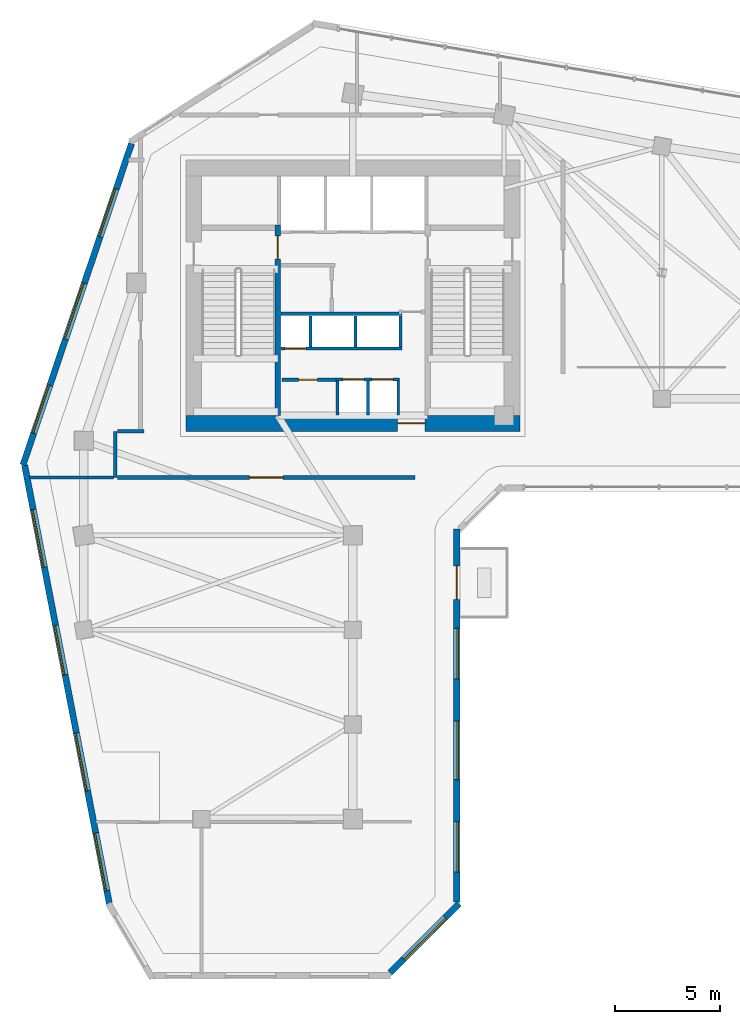
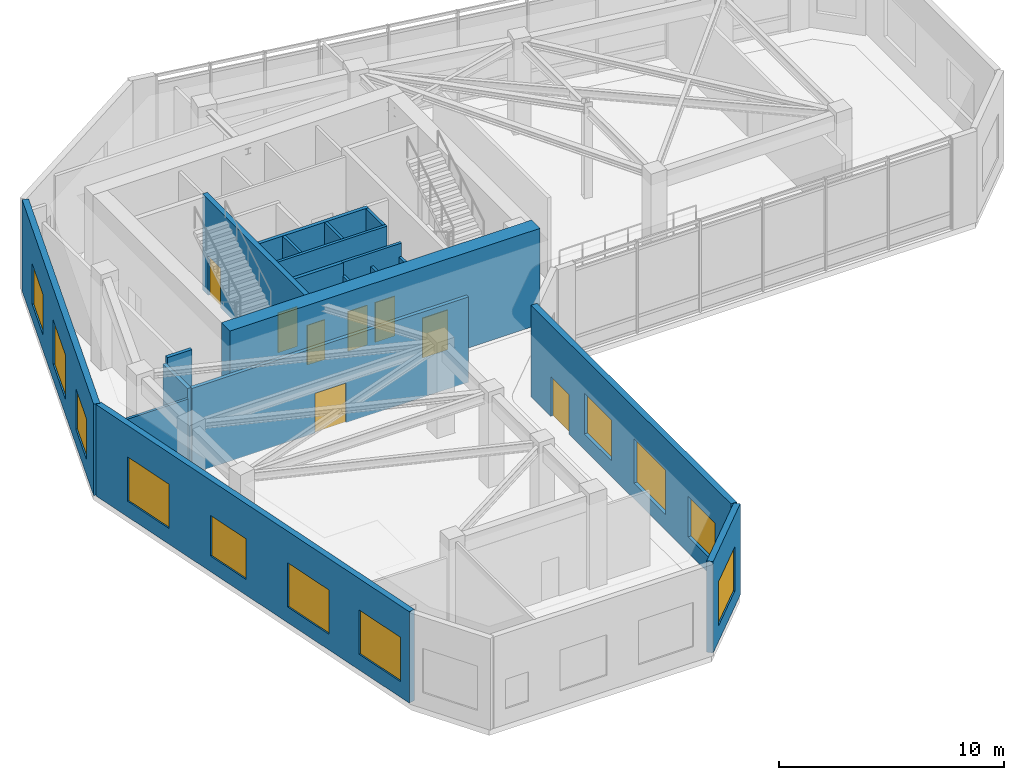
# One storey, part 4 of 9: 20 walls, 11 windows, 8 doors, 19 openings.
"""IFC4 building model written with IfcOpenShell, lengths in metres."""

from ifc_helpers import new_model, si_unit, direction, frame, frame_2d, origin, place, context, subcontext, project, spatial, rectangle, extrude, source, transform, mapped, material, layer, layer_set, type_object, element, fill, save


model = new_model("IFC4")

# Units and contexts
model_context = context("Model", 3, precision=1e-05, world=origin(), true_north=direction((0.0, 1.0)))
body_context = subcontext(model_context, "Body", "Model", "MODEL_VIEW")
ifc_project = project(units=[si_unit("LENGTHUNIT", "METRE"), si_unit("AREAUNIT", "SQUARE_METRE"), si_unit("VOLUMEUNIT", "CUBIC_METRE"), si_unit("PLANEANGLEUNIT", "RADIAN"), si_unit("MASSUNIT", "GRAM", prefix="KILO")], contexts=[model_context])

# Site, building, storey
site_placement = place(None, origin())
site = spatial("IfcSite", under=ifc_project, at=site_placement, CompositionType="ELEMENT")
building_placement = place(site_placement, origin())
building = spatial("IfcBuilding", under=site, at=building_placement, Name="Calvemar Wedge Station Tower", CompositionType="ELEMENT")
storey_placement = place(building_placement, frame((0.0, 0.0, 105.39990234375)))
storey = spatial("IfcBuildingStorey", under=building, at=storey_placement, Name="L25", CompositionType="ELEMENT", Elevation=105.39990234375)

# Wall, opening, door
ifc_material_1 = material(Name="Concrete C50", Category="concrete")
ifc_layer_1 = layer(ifc_material_1, 0.260009765625)
ifc_layer_set_1 = layer_set([ifc_layer_1], Name="Concrete C50")
wall_type_1 = type_object("IfcWallType", Name="SW-CORE-260", PredefinedType="SHEAR", material=ifc_layer_set_1)
wall_1_placement = place(storey_placement, frame((20.22998046875, 34.199951171875, 0.0), z_axis=(0.0, 0.0, 1.0), x_axis=(0.0, 1.0, 0.0)))
wall_1 = element("IfcWall", 1, at=wall_1_placement, inside=storey, type_object=wall_type_1, Name="Storey L25 Core Shear Wall SPINE-W", PredefinedType="SHEAR", context=body_context, shape_type="SweptSolid", body=[
    extrude(rectangle(XDim=9.06005859375, YDim=0.260009765625, at=frame_2d((4.530029296875, 0.0))), origin(), (0.0, 0.0, 1.0), 5.2001953125),
])
shared_shape_1 = source(origin(), body_context, "Body", "SweptSolid", [
    extrude(rectangle(XDim=1.10009765625, YDim=2.14990234375, at=frame_2d((0.550048828125, 1.074951171875))), frame((0.0, 0.14013671875, 0.0), z_axis=(0.0, -1.0, 0.0), x_axis=(1.0, 0.0, 0.0)), (0.0, 0.0, 1.0), 0.280029296875),
])
opening_1_placement = place(wall_1_placement, frame((7.449951171875, 0.0, 0.0)))
opening_1 = element("IfcOpeningElement", 2, at=opening_1_placement, cuts=wall_1, Name="Opening FD-90", PredefinedType="OPENING", context=body_context, shape_type="MappedRepresentation", body=[
    mapped(shared_shape_1, transform((0.0, 0.0, 0.0), scale=1.0)),
])
ifc_material_2 = material(Name="Galvanized fire-rated steel door leaf P-90", Category="steel")
door_type_1 = type_object("IfcDoorType", Name="DR-FD90-1100", OperationType="NOTDEFINED", PredefinedType="DOOR", material=ifc_material_2)
shared_shape_2 = source(origin(), body_context, "Body", "SweptSolid", [
    extrude(rectangle(XDim=1.10009765625, YDim=2.14990234375, at=frame_2d((0.550048828125, 1.074951171875))), frame((0.0, 0.02490234375, 0.0), z_axis=(0.0, -1.0, 0.0), x_axis=(1.0, 0.0, 0.0)), (0.0, 0.0, 1.0), 0.050048828125),
])
door_1_placement = place(opening_1_placement, origin())
door_1 = element("IfcDoor", 3, at=door_1_placement, inside=storey, type_object=door_type_1, Name="L25 FF Lobby to Stair ST-C1 Door", OperationType="SINGLE_SWING_RIGHT", OverallHeight=2.14990234375, OverallWidth=1.10009765625, PredefinedType="DOOR", context=body_context, shape_type="MappedRepresentation", body=[
    mapped(shared_shape_2, transform((0.0, 0.0, 0.0), scale=1.0)),
])
fill(opening_1, door_1)

ifc_material_3 = material(Name="Concrete C70", Category="concrete")
ifc_layer_2 = layer(ifc_material_3, 0.75)
ifc_layer_set_2 = layer_set([ifc_layer_2], Name="Concrete C70")
wall_type_2 = type_object("IfcWallType", Name="SW-CORE-750", PredefinedType="SHEAR", material=ifc_layer_set_2)
wall_2_placement = place(storey_placement, frame((15.85009765625, 33.824951171875, 0.0), z_axis=(0.0, 0.0, 1.0), x_axis=(1.0, 0.0, 0.0)))
wall_2 = element("IfcWall", 4, at=wall_2_placement, inside=storey, type_object=wall_type_2, Name="Storey L25 Core Shear Wall S", PredefinedType="SHEAR", context=body_context, shape_type="SweptSolid", body=[
    extrude(rectangle(XDim=15.89990234375, YDim=0.75, at=frame_2d((7.949951171875, 0.0))), origin(), (0.0, 0.0, 1.0), 5.2001953125),
])
shared_shape_3 = source(origin(), body_context, "Body", "SweptSolid", [
    extrude(rectangle(XDim=1.300048828125, YDim=2.14990234375, at=frame_2d((0.64990234375, 1.074951171875))), frame((0.0, 0.385009765625, 0.0), z_axis=(0.0, -1.0, 0.0), x_axis=(1.0, 0.0, 0.0)), (0.0, 0.0, 1.0), 0.77001953125),
])
opening_2_placement = place(wall_2_placement, frame((10.080078125, 0.0, 0.0)))
opening_2 = element("IfcOpeningElement", 5, at=opening_2_placement, cuts=wall_2, Name="Opening DD-130", PredefinedType="OPENING", context=body_context, shape_type="MappedRepresentation", body=[
    mapped(shared_shape_3, transform((0.0, 0.0, 0.0), scale=1.0)),
])
ifc_material_4 = material(Name="Double-leaf lift lobby fire door EI 60")
door_type_2 = type_object("IfcDoorType", Name="DR-DBL-1300", OperationType="DOUBLE_DOOR_SINGLE_SWING", PredefinedType="DOOR", material=ifc_material_4)
shared_shape_4 = source(origin(), body_context, "Body", "SweptSolid", [
    extrude(rectangle(XDim=1.300048828125, YDim=2.14990234375, at=frame_2d((0.64990234375, 1.074951171875))), frame((0.0, 0.02490234375, 0.0), z_axis=(0.0, -1.0, 0.0), x_axis=(1.0, 0.0, 0.0)), (0.0, 0.0, 1.0), 0.050048828125),
])
door_2_placement = place(opening_2_placement, origin())
door_2 = element("IfcDoor", 6, at=door_2_placement, inside=storey, type_object=door_type_2, Name="L25 Passenger Lift Lobby Door", OperationType="DOUBLE_DOOR_SINGLE_SWING", OverallHeight=2.14990234375, OverallWidth=1.300048828125, PredefinedType="DOOR", context=body_context, shape_type="MappedRepresentation", body=[
    mapped(shared_shape_4, transform((0.0, 0.0, 0.0), scale=1.0)),
])
fill(opening_2, door_2)

ifc_material_5 = material(Name="Double-stud fire-rated corridor partition")
ifc_layer_3 = layer(ifc_material_5, 0.179931640625)
ifc_layer_set_3 = layer_set([ifc_layer_3], Name="Double-stud fire-rated corridor partition")
wall_type_3 = type_object("IfcWallType", Name="W-CORR-180", PredefinedType="PARTITIONING", material=ifc_layer_set_3)
wall_3_placement = place(storey_placement, frame((20.419921875, 35.89990234375, 0.0), z_axis=(0.0, 0.0, 1.0), x_axis=(1.0, 0.0, 0.0)))
wall_3 = element("IfcWall", 7, at=wall_3_placement, inside=storey, type_object=wall_type_3, Name="Storey L25 Interior Partition WL-L25-004", PredefinedType="PARTITIONING", context=body_context, shape_type="SweptSolid", body=[
    extrude(rectangle(XDim=2.6201171875, YDim=0.179931640625, at=frame_2d((1.31005859375, 0.0))), origin(), (0.0, 0.0, 1.0), 4.9501953125),
])
shared_shape_5 = source(origin(), body_context, "Body", "SweptSolid", [
    extrude(rectangle(XDim=0.89990234375, YDim=2.14990234375, at=frame_2d((0.449951171875, 1.074951171875))), frame((0.0, 0.10009765625, 0.0), z_axis=(0.0, -1.0, 0.0), x_axis=(1.0, 0.0, 0.0)), (0.0, 0.0, 1.0), 0.199951171875),
])
opening_3_placement = place(wall_3_placement, frame((0.795654296875, 0.0, 0.0)))
opening_3 = element("IfcOpeningElement", 8, at=opening_3_placement, cuts=wall_3, Name="Opening FD-60", PredefinedType="OPENING", context=body_context, shape_type="MappedRepresentation", body=[
    mapped(shared_shape_5, transform((0.0, 0.0, 0.0), scale=1.0)),
])
ifc_material_6 = material(Name="Fire-rated acoustic timber-core entrance door EI 60", Category="wood")
door_type_3 = type_object("IfcDoorType", Name="DR-FD60-900", OperationType="NOTDEFINED", PredefinedType="DOOR", material=ifc_material_6)
shared_shape_6 = source(origin(), body_context, "Body", "SweptSolid", [
    extrude(rectangle(XDim=0.89990234375, YDim=2.14990234375, at=frame_2d((0.449951171875, 1.074951171875))), frame((0.0, 0.02490234375, 0.0), z_axis=(0.0, -1.0, 0.0), x_axis=(1.0, 0.0, 0.0)), (0.0, 0.0, 1.0), 0.050048828125),
])
door_3_placement = place(opening_3_placement, origin())
door_3 = element("IfcDoor", 9, at=door_3_placement, inside=storey, type_object=door_type_3, Name="L25 Housekeeping Store Door", OperationType="SINGLE_SWING_RIGHT", OverallHeight=2.14990234375, OverallWidth=0.89990234375, PredefinedType="DOOR", context=body_context, shape_type="MappedRepresentation", body=[
    mapped(shared_shape_6, transform((0.0, 0.0, 0.0), scale=1.0)),
])
fill(opening_3, door_3)

# Walls
wall_4_placement = place(storey_placement, frame((12.5, 31.25, 0.0), z_axis=(0.0, 0.0, 1.0), x_axis=(0.0, 1.0, 0.0)))
element("IfcWall", 10, at=wall_4_placement, inside=storey, type_object=wall_type_3, Name="Storey L25 Interior Partition WL-L25-005", PredefinedType="PARTITIONING", context=body_context, shape_type="SweptSolid", body=[
    extrude(rectangle(XDim=2.199951171875, YDim=0.179931640625, at=frame_2d((1.10009765625, 0.0))), origin(), (0.0, 0.0, 1.0), 4.619140625),
])
wall_5_placement = place(storey_placement, frame((12.593994140625, 33.449951171875, 0.0), z_axis=(0.0, 0.0, 1.0), x_axis=(1.0, 0.0, 0.0)))
element("IfcWall", 11, at=wall_5_placement, inside=storey, type_object=wall_type_3, Name="Storey L25 Interior Partition WL-L25-006", PredefinedType="PARTITIONING", context=body_context, shape_type="SweptSolid", body=[
    extrude(rectangle(XDim=1.26611328125, YDim=0.179931640625, at=frame_2d((0.633056640625, 0.0))), origin(), (0.0, 0.0, 1.0), 4.9501953125),
])

# Wall, opening, door
wall_6_placement = place(storey_placement, frame((26.760009765625, 31.25, 0.0), z_axis=(0.0, 0.0, 1.0), x_axis=(-1.0, 0.0, 0.0)))
wall_6 = element("IfcWall", 12, at=wall_6_placement, inside=storey, type_object=wall_type_3, Name="Storey L25 Interior Partition WL-L25-007", PredefinedType="PARTITIONING", context=body_context, shape_type="SweptSolid", body=[
    extrude(rectangle(XDim=14.166015625, YDim=0.179931640625, at=frame_2d((7.0830078125, 0.0))), origin(), (0.0, 0.0, 1.0), 4.619140625),
])
shared_shape_7 = source(origin(), body_context, "Body", "SweptSolid", [
    extrude(rectangle(XDim=1.60009765625, YDim=2.14990234375, at=frame_2d((0.800048828125, 1.074951171875))), frame((0.0, 0.10009765625, 0.0), z_axis=(0.0, -1.0, 0.0), x_axis=(1.0, 0.0, 0.0)), (0.0, 0.0, 1.0), 0.199951171875),
])
opening_4_placement = place(wall_6_placement, frame((6.282958984375, 0.0, 0.0)))
opening_4 = element("IfcOpeningElement", 13, at=opening_4_placement, cuts=wall_6, Name="Opening DD-160", PredefinedType="OPENING", context=body_context, shape_type="MappedRepresentation", body=[
    mapped(shared_shape_7, transform((0.0, 0.0, 0.0), scale=1.0)),
])
ifc_material_7 = material(Name="Double-leaf fire-rated lobby door EI 60")
door_type_4 = type_object("IfcDoorType", Name="DR-DBL-1600", OperationType="DOUBLE_DOOR_SINGLE_SWING", PredefinedType="DOOR", material=ifc_material_7)
shared_shape_8 = source(origin(), body_context, "Body", "SweptSolid", [
    extrude(rectangle(XDim=1.60009765625, YDim=2.14990234375, at=frame_2d((0.800048828125, 1.074951171875))), frame((0.0, 0.02490234375, 0.0), z_axis=(0.0, -1.0, 0.0), x_axis=(1.0, 0.0, 0.0)), (0.0, 0.0, 1.0), 0.050048828125),
])
door_4_placement = place(opening_4_placement, origin())
door_4 = element("IfcDoor", 14, at=door_4_placement, inside=storey, type_object=door_type_4, Name="L25 Panoramic Dining Hall Door", OperationType="SINGLE_SWING_RIGHT", OverallHeight=2.14990234375, OverallWidth=1.60009765625, PredefinedType="DOOR", context=body_context, shape_type="MappedRepresentation", body=[
    mapped(shared_shape_8, transform((0.0, 0.0, 0.0), scale=1.0)),
])
fill(opening_4, door_4)

# Wall, opening, window
ifc_material_8 = material(Name="Precast concrete C45", Category="concrete")
ifc_layer_4 = layer(ifc_material_8, 0.300048828125)
ifc_layer_set_4 = layer_set([ifc_layer_4], Name="Precast concrete C45")
wall_type_4 = type_object("IfcWallType", Name="W-EXT-GFRC-300", PredefinedType="SOLIDWALL", material=ifc_layer_set_4)
wall_7_placement = place(storey_placement, frame((25.572021484375, 7.68798828125, 0.0), z_axis=(0.0, 0.0, 1.0), x_axis=(0.70708046583, 0.707133095564, 0.0)))
wall_7 = element("IfcWall", 15, at=wall_7_placement, inside=storey, type_object=wall_type_4, Name="Storey L25 Bronze GFRC Exterior Wall 3", PredefinedType="SOLIDWALL", context=body_context, shape_type="SweptSolid", body=[
    extrude(rectangle(XDim=4.638916015625, YDim=0.300048828125, at=frame_2d((2.3193359375, 0.0))), origin(), (0.0, 0.0, 1.0), 4.9501953125),
])
shared_shape_9 = source(origin(), body_context, "Body", "SweptSolid", [
    extrude(rectangle(XDim=2.800048828125, YDim=2.39990234375, at=frame_2d((1.39990234375, 1.199951171875))), frame((0.0, 0.16015625, 0.0), z_axis=(0.0, -1.0, 0.0), x_axis=(1.0, 0.0, 0.0)), (0.0, 0.0, 1.0), 0.320068359375),
])
opening_5_placement = place(wall_7_placement, frame((0.9189453125, 0.0, 0.85009765625)))
opening_5 = element("IfcOpeningElement", 16, at=opening_5_placement, cuts=wall_7, Name="Opening W6", PredefinedType="OPENING", context=body_context, shape_type="MappedRepresentation", body=[
    mapped(shared_shape_9, transform((0.0, 0.0, 0.0), scale=1.0)),
])
ifc_material_9 = material(Name="Low-E laminated insulated glass", Category="glass")
window_type_1 = type_object("IfcWindowType", Name="WIN-EXT-6", PartitioningType="SINGLE_PANEL", PredefinedType="WINDOW", material=ifc_material_9)
shared_shape_10 = source(origin(), body_context, "Body", "SweptSolid", [
    extrude(rectangle(XDim=2.800048828125, YDim=2.39990234375, at=frame_2d((1.39990234375, 1.199951171875))), frame((0.0, -0.014892578125, 0.0), z_axis=(0.0, -1.0, 0.0), x_axis=(1.0, 0.0, 0.0)), (0.0, 0.0, 1.0), 0.06005859375),
])
window_1_placement = place(opening_5_placement, origin())
window_1 = element("IfcWindow", 17, at=window_1_placement, inside=storey, type_object=window_type_1, Name="Storey L25 Recessed Window 3.1", OverallHeight=2.39990234375, OverallWidth=2.800048828125, PartitioningType="SINGLE_PANEL", PredefinedType="WINDOW", context=body_context, shape_type="MappedRepresentation", body=[
    mapped(shared_shape_10, transform((0.0, 0.0, 0.0), scale=1.0)),
])
fill(opening_5, window_1)

# Wall, openings, windows, door
wall_8_placement = place(storey_placement, frame((28.74609375, 11.057373046875, 0.0), z_axis=(0.0, 0.0, 1.0), x_axis=(0.0, 1.0, 0.0)))
wall_8 = element("IfcWall", 18, at=wall_8_placement, inside=storey, type_object=wall_type_4, Name="Storey L25 Bronze GFRC Exterior Wall 4", PredefinedType="SOLIDWALL", context=body_context, shape_type="SweptSolid", body=[
    extrude(rectangle(XDim=17.746826171875, YDim=0.300048828125, at=frame_2d((8.87353515625, 0.0))), origin(), (0.0, 0.0, 1.0), 4.9501953125),
])
shared_shape_11 = source(origin(), body_context, "Body", "SweptSolid", [
    extrude(rectangle(XDim=1.60009765625, YDim=2.14990234375, at=frame_2d((0.800048828125, 1.074951171875))), frame((0.0, 0.16015625, 0.0), z_axis=(0.0, -1.0, 0.0), x_axis=(1.0, 0.0, 0.0)), (0.0, 0.0, 1.0), 0.320068359375),
])
opening_6_placement = place(wall_8_placement, frame((14.39306640625, 0.0, 0.0)))
opening_6 = element("IfcOpeningElement", 19, at=opening_6_placement, cuts=wall_8, Name="Opening DT1", PredefinedType="OPENING", context=body_context, shape_type="MappedRepresentation", body=[
    mapped(shared_shape_11, transform((0.0, 0.0, 0.0), scale=1.0)),
])
shared_shape_12 = source(origin(), body_context, "Body", "SweptSolid", [
    extrude(rectangle(XDim=2.39990234375, YDim=2.199951171875, at=frame_2d((1.199951171875, 1.10009765625))), frame((0.0, 0.16015625, 0.0), z_axis=(0.0, -1.0, 0.0), x_axis=(1.0, 0.0, 0.0)), (0.0, 0.0, 1.0), 0.320068359375),
])
opening_7_placement = place(wall_8_placement, frame((1.4189453125, 0.0, 0.85009765625)))
opening_7 = element("IfcOpeningElement", 20, at=opening_7_placement, cuts=wall_8, Name="Opening W1", PredefinedType="OPENING", context=body_context, shape_type="MappedRepresentation", body=[
    mapped(shared_shape_12, transform((0.0, 0.0, 0.0), scale=1.0)),
])
opening_8_placement = place(wall_8_placement, frame((5.81689453125, 0.0, 0.85009765625)))
opening_8 = element("IfcOpeningElement", 21, at=opening_8_placement, cuts=wall_8, Name="Opening W6", PredefinedType="OPENING", context=body_context, shape_type="MappedRepresentation", body=[
    mapped(shared_shape_9, transform((0.0, 0.0, 0.0), scale=1.0)),
])
opening_9_placement = place(wall_8_placement, frame((10.614013671875, 0.0, 0.85009765625)))
opening_9 = element("IfcOpeningElement", 22, at=opening_9_placement, cuts=wall_8, Name="Opening W1", PredefinedType="OPENING", context=body_context, shape_type="MappedRepresentation", body=[
    mapped(shared_shape_12, transform((0.0, 0.0, 0.0), scale=1.0)),
])
window_2_placement = place(opening_8_placement, origin())
window_2 = element("IfcWindow", 23, at=window_2_placement, inside=storey, type_object=window_type_1, Name="Storey L25 Recessed Window 4.2", OverallHeight=2.39990234375, OverallWidth=2.800048828125, PartitioningType="SINGLE_PANEL", PredefinedType="WINDOW", context=body_context, shape_type="MappedRepresentation", body=[
    mapped(shared_shape_10, transform((0.0, 0.0, 0.0), scale=1.0)),
])
fill(opening_8, window_2)
window_type_2 = type_object("IfcWindowType", Name="WIN-EXT-1", PartitioningType="SINGLE_PANEL", PredefinedType="WINDOW", material=ifc_material_9)
shared_shape_13 = source(origin(), body_context, "Body", "SweptSolid", [
    extrude(rectangle(XDim=2.39990234375, YDim=2.199951171875, at=frame_2d((1.199951171875, 1.10009765625))), frame((0.0, -0.014892578125, 0.0), z_axis=(0.0, -1.0, 0.0), x_axis=(1.0, 0.0, 0.0)), (0.0, 0.0, 1.0), 0.06005859375),
])
window_3_placement = place(opening_7_placement, origin())
window_3 = element("IfcWindow", 24, at=window_3_placement, inside=storey, type_object=window_type_2, Name="Storey L25 Recessed Window 4.1", OverallHeight=2.199951171875, OverallWidth=2.39990234375, PartitioningType="SINGLE_PANEL", PredefinedType="WINDOW", context=body_context, shape_type="MappedRepresentation", body=[
    mapped(shared_shape_13, transform((0.0, 0.0, 0.0), scale=1.0)),
])
fill(opening_7, window_3)
window_4_placement = place(opening_9_placement, origin())
window_4 = element("IfcWindow", 25, at=window_4_placement, inside=storey, type_object=window_type_2, Name="Storey L25 Recessed Window 4.3", OverallHeight=2.199951171875, OverallWidth=2.39990234375, PartitioningType="SINGLE_PANEL", PredefinedType="WINDOW", context=body_context, shape_type="MappedRepresentation", body=[
    mapped(shared_shape_13, transform((0.0, 0.0, 0.0), scale=1.0)),
])
fill(opening_9, window_4)
ifc_material_10 = material(Name="Anodised aluminium 6063-T6", Category="aluminium")
door_type_5 = type_object("IfcDoorType", Name="DR-TERR-1600", OperationType="DOUBLE_DOOR_SLIDING", PredefinedType="DOOR", material=ifc_material_10)
shared_shape_14 = source(origin(), body_context, "Body", "SweptSolid", [
    extrude(rectangle(XDim=1.60009765625, YDim=2.14990234375, at=frame_2d((0.800048828125, 1.074951171875))), frame((0.0, 0.02490234375, 0.0), z_axis=(0.0, -1.0, 0.0), x_axis=(1.0, 0.0, 0.0)), (0.0, 0.0, 1.0), 0.050048828125),
])
door_5_placement = place(opening_6_placement, origin())
door_5 = element("IfcDoor", 26, at=door_5_placement, inside=storey, type_object=door_type_5, Name="Storey L25 Spiral Terrace Door", OperationType="DOUBLE_DOOR_SLIDING", OverallHeight=2.14990234375, OverallWidth=1.60009765625, PredefinedType="DOOR", context=body_context, shape_type="MappedRepresentation", body=[
    mapped(shared_shape_14, transform((0.0, 0.0, 0.0), scale=1.0)),
])
fill(opening_6, door_5)

# Wall, openings, windows
wall_9_placement = place(storey_placement, frame((13.2685546875, 47.1337890625, 0.0), z_axis=(0.0, 0.0, 1.0), x_axis=(-0.319929596295, -0.947441319246, 0.0)))
wall_9 = element("IfcWall", 27, at=wall_9_placement, inside=storey, type_object=wall_type_4, Name="Storey L25 Bronze GFRC Exterior Wall 12", PredefinedType="SOLIDWALL", context=body_context, shape_type="SweptSolid", body=[
    extrude(rectangle(XDim=16.13427734375, YDim=0.300048828125, at=frame_2d((8.067138671875, 0.0))), origin(), (0.0, 0.0, 1.0), 4.9501953125),
])
opening_10_placement = place(wall_9_placement, frame((2.27587890625, 0.0, 0.85009765625)))
opening_10 = element("IfcOpeningElement", 28, at=opening_10_placement, cuts=wall_9, Name="Opening W1", PredefinedType="OPENING", context=body_context, shape_type="MappedRepresentation", body=[
    mapped(shared_shape_12, transform((0.0, 0.0, 0.0), scale=1.0)),
])
opening_11_placement = place(wall_9_placement, frame((7.010986328125, 0.0, 0.85009765625)))
opening_11 = element("IfcOpeningElement", 29, at=opening_11_placement, cuts=wall_9, Name="Opening W6", PredefinedType="OPENING", context=body_context, shape_type="MappedRepresentation", body=[
    mapped(shared_shape_9, transform((0.0, 0.0, 0.0), scale=1.0)),
])
opening_12_placement = place(wall_9_placement, frame((12.14697265625, 0.0, 0.85009765625)))
opening_12 = element("IfcOpeningElement", 30, at=opening_12_placement, cuts=wall_9, Name="Opening W1", PredefinedType="OPENING", context=body_context, shape_type="MappedRepresentation", body=[
    mapped(shared_shape_12, transform((0.0, 0.0, 0.0), scale=1.0)),
])
window_5_placement = place(opening_11_placement, origin())
window_5 = element("IfcWindow", 31, at=window_5_placement, inside=storey, type_object=window_type_1, Name="Storey L25 Recessed Window 12.2", OverallHeight=2.39990234375, OverallWidth=2.800048828125, PartitioningType="SINGLE_PANEL", PredefinedType="WINDOW", context=body_context, shape_type="MappedRepresentation", body=[
    mapped(shared_shape_10, transform((0.0, 0.0, 0.0), scale=1.0)),
])
fill(opening_11, window_5)
window_6_placement = place(opening_10_placement, origin())
window_6 = element("IfcWindow", 32, at=window_6_placement, inside=storey, type_object=window_type_2, Name="Storey L25 Recessed Window 12.1", OverallHeight=2.199951171875, OverallWidth=2.39990234375, PartitioningType="SINGLE_PANEL", PredefinedType="WINDOW", context=body_context, shape_type="MappedRepresentation", body=[
    mapped(shared_shape_13, transform((0.0, 0.0, 0.0), scale=1.0)),
])
fill(opening_10, window_6)
window_7_placement = place(opening_12_placement, origin())
window_7 = element("IfcWindow", 33, at=window_7_placement, inside=storey, type_object=window_type_2, Name="Storey L25 Recessed Window 12.3", OverallHeight=2.199951171875, OverallWidth=2.39990234375, PartitioningType="SINGLE_PANEL", PredefinedType="WINDOW", context=body_context, shape_type="MappedRepresentation", body=[
    mapped(shared_shape_13, transform((0.0, 0.0, 0.0), scale=1.0)),
])
fill(opening_12, window_7)

wall_10_placement = place(storey_placement, frame((8.184814453125, 31.833740234375, 0.0), z_axis=(0.0, 0.0, 1.0), x_axis=(0.189707113148, -0.981840725994, 0.0)))
wall_10 = element("IfcWall", 34, at=wall_10_placement, inside=storey, type_object=wall_type_4, Name="Storey L25 Bronze GFRC Exterior Wall 13", PredefinedType="SOLIDWALL", context=body_context, shape_type="SweptSolid", body=[
    extrude(rectangle(XDim=21.221435546875, YDim=0.300048828125, at=frame_2d((10.61083984375, 0.0))), origin(), (0.0, 0.0, 1.0), 4.9501953125),
])
opening_13_placement = place(wall_10_placement, frame((2.14501953125, 0.0, 0.85009765625)))
opening_13 = element("IfcOpeningElement", 35, at=opening_13_placement, cuts=wall_10, Name="Opening W6", PredefinedType="OPENING", context=body_context, shape_type="MappedRepresentation", body=[
    mapped(shared_shape_9, transform((0.0, 0.0, 0.0), scale=1.0)),
])
opening_14_placement = place(wall_10_placement, frame((7.760986328125, 0.0, 0.85009765625)))
opening_14 = element("IfcOpeningElement", 36, at=opening_14_placement, cuts=wall_10, Name="Opening W1", PredefinedType="OPENING", context=body_context, shape_type="MappedRepresentation", body=[
    mapped(shared_shape_12, transform((0.0, 0.0, 0.0), scale=1.0)),
])
opening_15_placement = place(wall_10_placement, frame((12.97705078125, 0.0, 0.85009765625)))
opening_15 = element("IfcOpeningElement", 37, at=opening_15_placement, cuts=wall_10, Name="Opening W6", PredefinedType="OPENING", context=body_context, shape_type="MappedRepresentation", body=[
    mapped(shared_shape_9, transform((0.0, 0.0, 0.0), scale=1.0)),
])
opening_16_placement = place(wall_10_placement, frame((17.81298828125, 0.0, 0.85009765625)))
opening_16 = element("IfcOpeningElement", 38, at=opening_16_placement, cuts=wall_10, Name="Opening W6", PredefinedType="OPENING", context=body_context, shape_type="MappedRepresentation", body=[
    mapped(shared_shape_9, transform((0.0, 0.0, 0.0), scale=1.0)),
])
window_8_placement = place(opening_13_placement, origin())
window_8 = element("IfcWindow", 39, at=window_8_placement, inside=storey, type_object=window_type_1, Name="Storey L25 Recessed Window 13.1", OverallHeight=2.39990234375, OverallWidth=2.800048828125, PartitioningType="SINGLE_PANEL", PredefinedType="WINDOW", context=body_context, shape_type="MappedRepresentation", body=[
    mapped(shared_shape_10, transform((0.0, 0.0, 0.0), scale=1.0)),
])
fill(opening_13, window_8)
window_9_placement = place(opening_15_placement, origin())
window_9 = element("IfcWindow", 40, at=window_9_placement, inside=storey, type_object=window_type_1, Name="Storey L25 Recessed Window 13.3", OverallHeight=2.39990234375, OverallWidth=2.800048828125, PartitioningType="SINGLE_PANEL", PredefinedType="WINDOW", context=body_context, shape_type="MappedRepresentation", body=[
    mapped(shared_shape_10, transform((0.0, 0.0, 0.0), scale=1.0)),
])
fill(opening_15, window_9)
window_10_placement = place(opening_16_placement, origin())
window_10 = element("IfcWindow", 41, at=window_10_placement, inside=storey, type_object=window_type_1, Name="Storey L25 Recessed Window 13.4", OverallHeight=2.39990234375, OverallWidth=2.800048828125, PartitioningType="SINGLE_PANEL", PredefinedType="WINDOW", context=body_context, shape_type="MappedRepresentation", body=[
    mapped(shared_shape_10, transform((0.0, 0.0, 0.0), scale=1.0)),
])
fill(opening_16, window_10)
window_11_placement = place(opening_14_placement, origin())
window_11 = element("IfcWindow", 42, at=window_11_placement, inside=storey, type_object=window_type_2, Name="Storey L25 Recessed Window 13.2", OverallHeight=2.199951171875, OverallWidth=2.39990234375, PartitioningType="SINGLE_PANEL", PredefinedType="WINDOW", context=body_context, shape_type="MappedRepresentation", body=[
    mapped(shared_shape_13, transform((0.0, 0.0, 0.0), scale=1.0)),
])
fill(opening_14, window_11)

# Wall, openings, doors
ifc_material_11 = material(Name="Reinforced concrete blockwork lift shaft wall", Category="masonry")
ifc_layer_5 = layer(ifc_material_11, 0.139892578125)
ifc_layer_set_5 = layer_set([ifc_layer_5], Name="Reinforced concrete blockwork lift shaft wall")
wall_type_5 = type_object("IfcWallType", Name="W-LIFT-160", PredefinedType="SOLIDWALL", material=ifc_layer_set_5)
wall_11_placement = place(storey_placement, frame((23.0, 35.919921875, 0.0), z_axis=(0.0, 0.0, 1.0), x_axis=(1.0, 0.0, 0.0)))
wall_11 = element("IfcWall", 43, at=wall_11_placement, inside=storey, type_object=wall_type_5, Name="Storey L25 South Passenger Lift Bank Front Wall", PredefinedType="SOLIDWALL", context=body_context, shape_type="SweptSolid", body=[
    extrude(rectangle(XDim=3.030029296875, YDim=0.139892578125, at=frame_2d((1.51513671875, 0.0))), origin(), (0.0, 0.0, 1.0), 4.9501953125),
])
shared_shape_15 = source(origin(), body_context, "Body", "SweptSolid", [
    extrude(rectangle(XDim=1.0, YDim=2.14990234375, at=frame_2d((0.5, 1.074951171875))), frame((0.0, 0.080078125, 0.0), z_axis=(0.0, -1.0, 0.0), x_axis=(1.0, 0.0, 0.0)), (0.0, 0.0, 1.0), 0.159912109375),
])
opening_17_placement = place(wall_11_placement, frame((0.320068359375, 0.0, 0.0)))
opening_17 = element("IfcOpeningElement", 44, at=opening_17_placement, cuts=wall_11, Name="Opening LD-PAX", PredefinedType="OPENING", context=body_context, shape_type="MappedRepresentation", body=[
    mapped(shared_shape_15, transform((0.0, 0.0, 0.0), scale=1.0)),
])
opening_18_placement = place(wall_11_placement, frame((1.7099609375, 0.0, 0.0)))
opening_18 = element("IfcOpeningElement", 45, at=opening_18_placement, cuts=wall_11, Name="Opening LD-PAX", PredefinedType="OPENING", context=body_context, shape_type="MappedRepresentation", body=[
    mapped(shared_shape_15, transform((0.0, 0.0, 0.0), scale=1.0)),
])
ifc_material_12 = material(Name="Anodised bronze passenger lift sliding landing door")
door_type_6 = type_object("IfcDoorType", Name="DR-LD-PAX-1000", OperationType="SLIDING_TO_LEFT", PredefinedType="DOOR", material=ifc_material_12)
shared_shape_16 = source(origin(), body_context, "Body", "SweptSolid", [
    extrude(rectangle(XDim=1.0, YDim=2.14990234375, at=frame_2d((0.5, 1.074951171875))), frame((0.0, 0.02490234375, 0.0), z_axis=(0.0, -1.0, 0.0), x_axis=(1.0, 0.0, 0.0)), (0.0, 0.0, 1.0), 0.050048828125),
])
door_6_placement = place(opening_17_placement, origin())
door_6 = element("IfcDoor", 46, at=door_6_placement, inside=storey, type_object=door_type_6, Name="L25 Lift HL-01 Sliding Landing Door", OperationType="SLIDING_TO_LEFT", OverallHeight=2.14990234375, OverallWidth=1.0, PredefinedType="DOOR", context=body_context, shape_type="MappedRepresentation", body=[
    mapped(shared_shape_16, transform((0.0, 0.0, 0.0), scale=1.0)),
])
fill(opening_17, door_6)
door_7_placement = place(opening_18_placement, origin())
door_7 = element("IfcDoor", 47, at=door_7_placement, inside=storey, type_object=door_type_6, Name="L25 Lift HL-02 Sliding Landing Door", OperationType="SLIDING_TO_RIGHT", OverallHeight=2.14990234375, OverallWidth=1.0, PredefinedType="DOOR", context=body_context, shape_type="MappedRepresentation", body=[
    mapped(shared_shape_16, transform((0.0, 0.0, 0.0), scale=1.0)),
])
fill(opening_18, door_7)

# Walls
for number, where, z_axis, x_axis, name in (
    (48, (25.9599609375, 34.219970703125, 0.0), (0.0, 0.0, 1.0), (0.0, 1.0, 0.0), "Storey L25 South Passenger Lift Shaft Wall E"),
    (49, (23.070068359375, 34.219970703125, 0.0), (0.0, 0.0, 1.0), (0.0, 1.0, 0.0), "Storey L25 South Passenger Lift Shaft Wall W"),
    (50, (24.514892578125, 34.219970703125, 0.0), (0.0, 0.0, 1.0), (0.0, 1.0, 0.0), "Storey L25 South Passenger Lift Shaft Wall D1"),
):
    element("IfcWall", number, at=place(storey_placement, frame(where, z_axis=z_axis, x_axis=x_axis)), inside=storey, type_object=wall_type_5, Name=name, PredefinedType="SOLIDWALL", context=body_context, shape_type="SweptSolid", body=[
        extrude(rectangle(XDim=1.6201171875, YDim=0.139892578125, at=frame_2d((0.81005859375, 0.0))), origin(), (0.0, 0.0, 1.0), 4.2421875),
    ])

# Wall, opening, door
wall_12_placement = place(storey_placement, frame((20.3798828125, 37.3798828125, 0.0), z_axis=(0.0, 0.0, 1.0), x_axis=(1.0, 0.0, 0.0)))
wall_12 = element("IfcWall", 51, at=wall_12_placement, inside=storey, type_object=wall_type_5, Name="Storey L25 Upper Passenger Lift Bank Front Wall", PredefinedType="SOLIDWALL", context=body_context, shape_type="SweptSolid", body=[
    extrude(rectangle(XDim=5.75, YDim=0.139892578125, at=frame_2d((2.875, 0.0))), origin(), (0.0, 0.0, 1.0), 4.9501953125),
])
opening_19_placement = place(wall_12_placement, frame((0.18994140625, 0.0, 0.0)))
opening_19 = element("IfcOpeningElement", 52, at=opening_19_placement, cuts=wall_12, Name="Opening LD-PAX", PredefinedType="OPENING", context=body_context, shape_type="MappedRepresentation", body=[
    mapped(shared_shape_15, transform((0.0, 0.0, 0.0), scale=1.0)),
])
door_8_placement = place(opening_19_placement, origin())
door_8 = element("IfcDoor", 53, at=door_8_placement, inside=storey, type_object=door_type_6, Name="L25 Lift RH-01 Sliding Landing Door", OperationType="SLIDING_TO_LEFT", OverallHeight=2.14990234375, OverallWidth=1.0, PredefinedType="DOOR", context=body_context, shape_type="MappedRepresentation", body=[
    mapped(shared_shape_16, transform((0.0, 0.0, 0.0), scale=1.0)),
])
fill(opening_19, door_8)

# Walls
for number, where, z_axis, x_axis, name in (
    (54, (26.06005859375, 37.4599609375, 0.0), (0.0, 0.0, 1.0), (0.0, 1.0, 0.0), "Storey L25 Upper Passenger Lift Shaft Wall E"),
    (55, (21.794921875, 37.4599609375, 0.0), (0.0, 0.0, 1.0), (0.0, 1.0, 0.0), "Storey L25 Upper Passenger Lift Shaft Wall D1"),
    (56, (23.93505859375, 37.4599609375, 0.0), (0.0, 0.0, 1.0), (0.0, 1.0, 0.0), "Storey L25 Upper Passenger Lift Shaft Wall D2"),
):
    element("IfcWall", number, at=place(storey_placement, frame(where, z_axis=z_axis, x_axis=x_axis)), inside=storey, type_object=wall_type_5, Name=name, PredefinedType="SOLIDWALL", context=body_context, shape_type="SweptSolid", body=[
        extrude(rectangle(XDim=1.47998046875, YDim=0.139892578125, at=frame_2d((0.739990234375, 0.0))), origin(), (0.0, 0.0, 1.0), 4.9501953125),
    ])
ifc_material_13 = material(Name="Insulated acoustic gypsum stud partition")
ifc_layer_6 = layer(ifc_material_13, 0.125)
ifc_layer_set_6 = layer_set([ifc_layer_6], Name="Insulated acoustic gypsum stud partition")
wall_type_6 = type_object("IfcWallType", Name="W-PART-125", PredefinedType="PARTITIONING", material=ifc_layer_set_6)
wall_13_placement = place(storey_placement, frame((12.406005859375, 31.25, 0.0), z_axis=(0.0, 0.0, 1.0), x_axis=(-1.0, 0.0, 0.0)))
element("IfcWall", 57, at=wall_13_placement, inside=storey, type_object=wall_type_6, Name="Storey L25 Interior Partition WL-L25-013", PredefinedType="PARTITIONING", context=body_context, shape_type="SweptSolid", body=[
    extrude(rectangle(XDim=3.9912109375, YDim=0.125, at=frame_2d((1.99560546875, 0.0))), origin(), (0.0, 0.0, 1.0), 4.092041015625),
])
ifc_material_14 = material(Name="Concrete blockwork and fireboard shaft wall", Category="masonry")
ifc_layer_7 = layer(ifc_material_14, 0.199951171875)
ifc_layer_set_7 = layer_set([ifc_layer_7], Name="Concrete blockwork and fireboard shaft wall")
wall_type_7 = type_object("IfcWallType", Name="W-SHAFT-200", PredefinedType="SOLIDWALL", material=ifc_layer_set_7)
wall_14_placement = place(storey_placement, frame((20.3798828125, 39.0400390625, 0.0), z_axis=(0.0, 0.0, 1.0), x_axis=(1.0, 0.0, 0.0)))
element("IfcWall", 58, at=wall_14_placement, inside=storey, type_object=wall_type_7, Name="Storey L25 Upper Passenger Lift Bank Rear Shaft Wall", PredefinedType="SOLIDWALL", context=body_context, shape_type="SweptSolid", body=[
    extrude(rectangle(XDim=5.75, YDim=0.179931640625, at=frame_2d((2.875, 0.0))), origin(), (0.0, 0.0, 1.0), 4.9501953125),
])

save(model, "model.ifc")
